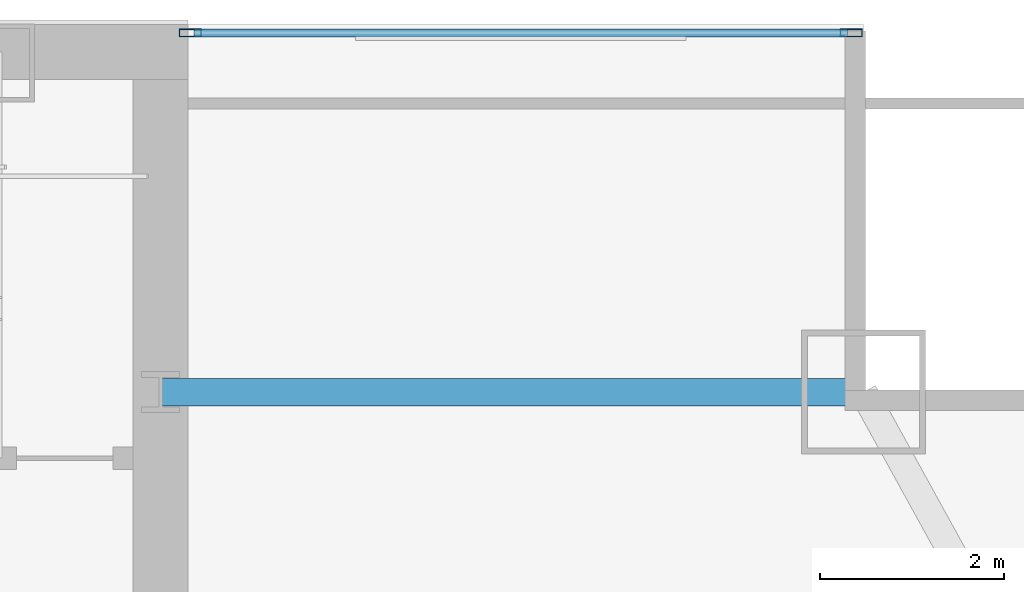
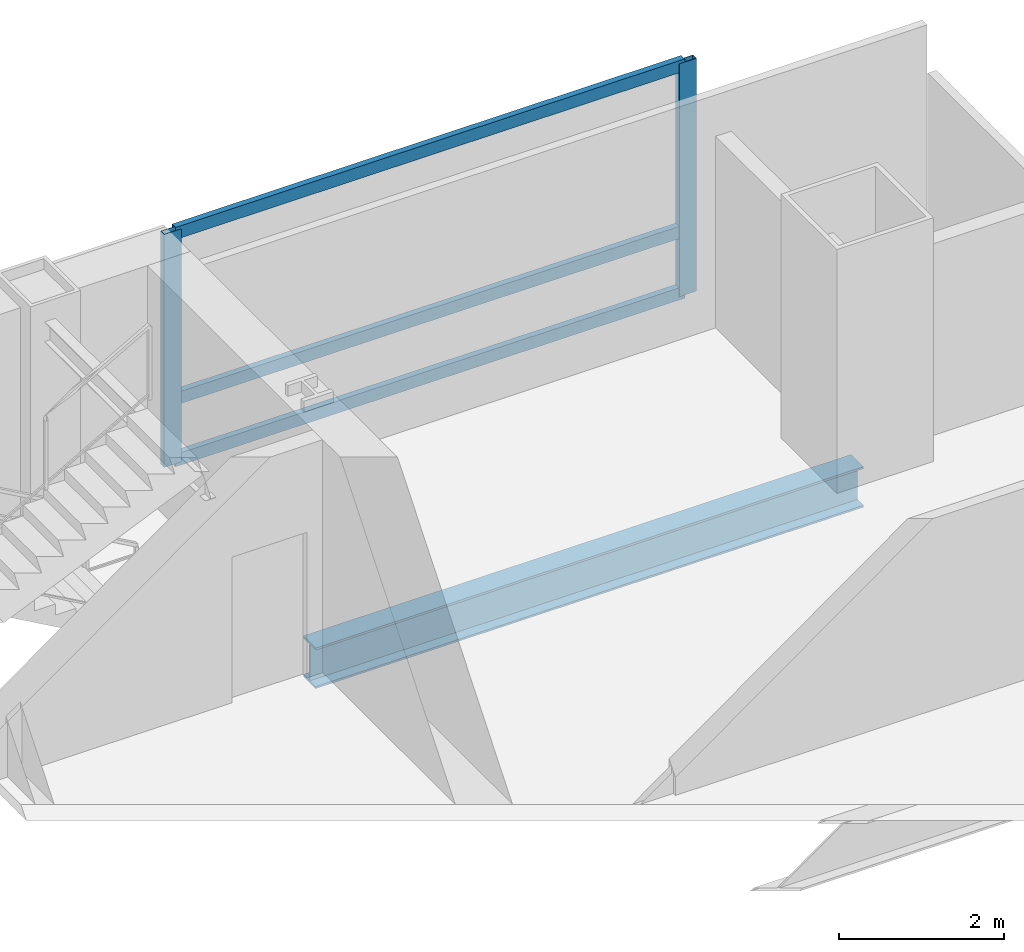
# One storey, part 20 of 29: 5 members, 1 beam, 1 element without a shape of its own.
"""IFC4 building model written with IfcOpenShell, lengths in metres."""

from ifc_helpers import new_model, si_unit, direction, frame, origin, origin_2d, place, context, subcontext, project, spatial, hollow_rectangle, i_section, extrude, material, material_profile, profile_set, type_object, element, aggregate, save


model = new_model("IFC4")

# Units and contexts
model_context = context("Model", 3, precision=1e-05, world=origin(), true_north=direction((0.0, 1.0)))
body_context = subcontext(model_context, "Body", "Model", "MODEL_VIEW")
ifc_project = project(units=[si_unit("LENGTHUNIT", "METRE"), si_unit("AREAUNIT", "SQUARE_METRE"), si_unit("VOLUMEUNIT", "CUBIC_METRE"), si_unit("PLANEANGLEUNIT", "RADIAN"), si_unit("MASSUNIT", "GRAM", prefix="KILO")], contexts=[model_context])

# Site, building, storey
site_placement = place(None, origin())
site = spatial("IfcSite", under=ifc_project, at=site_placement, CompositionType="ELEMENT")
building_placement = place(site_placement, origin())
building = spatial("IfcBuilding", under=site, at=building_placement, Name="Khoronbel Lancet Exchange", CompositionType="ELEMENT")
storey_placement = place(building_placement, frame((0.0, 0.0, 177.0)))
storey = spatial("IfcBuildingStorey", under=building, at=storey_placement, Name="L44", CompositionType="ELEMENT", Elevation=177.0)

# Beam
ifc_material_1 = material(Name="Steel S355", Category="steel")
ifc_material_profile_1 = material_profile(ifc_material_1, i_section(OverallWidth=0.300048828125, OverallDepth=0.60009765625, WebThickness=0.015380859375, FlangeThickness=0.030029296875, at=origin_2d()), Name="HEB 600")
ifc_profile_set_1 = profile_set([ifc_material_profile_1], Name="Steel S355")
beam_type = type_object("IfcBeamType", Name="BM-BSP2", PredefinedType="SPANDREL", material=ifc_profile_set_1)
beam_placement = place(storey_placement, frame((64.050048828125, 49.699951171875, -0.4599609375), z_axis=(-1.0, 0.0, 0.0), x_axis=(0.0, -1.0, 0.0)))
element("IfcBeam", 1, at=beam_placement, inside=storey, type_object=beam_type, Name="Level L44 north flank tie spandrel SP23", PredefinedType="SPANDREL", context=body_context, shape_type="SweptSolid", body=[
    extrude(i_section(OverallWidth=0.300048828125, OverallDepth=0.60009765625, WebThickness=0.015380859375, FlangeThickness=0.030029296875, at=origin_2d()), origin(), (0.0, 0.0, 1.0), 7.650146484375),
])

# Curtain wall, members
ifc_material_2 = material(Name="Low-E Solar Control Insulating Glass", Category="glass")
curtain_wall_type = type_object("IfcCurtainWallType", Name="CW-3", PredefinedType="NOTDEFINED", material=ifc_material_2)
curtain_wall_placement = place(storey_placement, origin())
curtain_wall = element("IfcCurtainWall", 2, at=curtain_wall_placement, inside=storey, type_object=curtain_wall_type, Name="Unitised curtain wall CW-L44-NEFLK", PredefinedType="NOTDEFINED")
ifc_material_3 = material(Name="Bronze-Anodised Aluminium 6063-T6", Category="aluminium")
ifc_material_profile_2 = material_profile(ifc_material_3, hollow_rectangle(XDim=0.0849609375, YDim=0.239990234375, WallThickness=0.006103515625, at=origin_2d()), Name="ALU MULLION 85x240")
ifc_profile_set_2 = profile_set([ifc_material_profile_2], Name="Bronze-Anodised Aluminium 6063-T6")
member_type_1 = type_object("IfcMemberType", Name="MEM-CWM1", PredefinedType="MULLION", material=ifc_profile_set_2)
member_1_placement = place(storey_placement, frame((63.91748046875, 53.610107421875, 0.0), z_axis=(0.0, 0.0, 1.0), x_axis=(0.0, -1.0, 0.0)))
member_1 = element("IfcMember", 3, at=member_1_placement, type_object=member_type_1, Name="CW3 mullion 1", PredefinedType="MULLION", context=body_context, shape_type="SweptSolid", body=[
    extrude(hollow_rectangle(XDim=0.0849609375, YDim=0.239990234375, WallThickness=0.006103515625, at=origin_2d()), origin(), (0.0, 0.0, 1.0), 3.43994140625),
])
member_2_placement = place(storey_placement, frame((56.722412109375, 53.610107421875, 0.0), z_axis=(0.0, 0.0, 1.0), x_axis=(0.0, -1.0, 0.0)))
member_2 = element("IfcMember", 4, at=member_2_placement, type_object=member_type_1, Name="CW3 mullion 2", PredefinedType="MULLION", context=body_context, shape_type="SweptSolid", body=[
    extrude(hollow_rectangle(XDim=0.0849609375, YDim=0.239990234375, WallThickness=0.006103515625, at=origin_2d()), origin(), (0.0, 0.0, 1.0), 3.43994140625),
])
ifc_material_profile_3 = material_profile(ifc_material_3, hollow_rectangle(XDim=0.0849609375, YDim=0.179931640625, WallThickness=0.0048828125, at=origin_2d()), Name="ALU TRANSOM 85x180")
ifc_profile_set_3 = profile_set([ifc_material_profile_3], Name="Bronze-Anodised Aluminium 6063-T6")
member_type_2 = type_object("IfcMemberType", Name="MEM-CWT1", PredefinedType="USERDEFINED", material=ifc_profile_set_3)
member_3_placement = place(storey_placement, frame((63.875, 53.610107421875, 0.04248046875), z_axis=(-1.0, 0.0, 0.0), x_axis=(0.0, -1.0, 0.0)))
member_3 = element("IfcMember", 5, at=member_3_placement, type_object=member_type_2, Name="CW3 transom 1.1", ObjectType="TRANSOM", PredefinedType="USERDEFINED", context=body_context, shape_type="SweptSolid", body=[
    extrude(hollow_rectangle(XDim=0.0849609375, YDim=0.179931640625, WallThickness=0.0048828125, at=origin_2d()), origin(), (0.0, 0.0, 1.0), 7.110107421875),
])
member_4_placement = place(storey_placement, frame((63.875, 53.610107421875, 0.949951171875), z_axis=(-1.0, 0.0, 0.0), x_axis=(0.0, -1.0, 0.0)))
member_4 = element("IfcMember", 6, at=member_4_placement, type_object=member_type_2, Name="CW3 transom 1.2", ObjectType="TRANSOM", PredefinedType="USERDEFINED", context=body_context, shape_type="SweptSolid", body=[
    extrude(hollow_rectangle(XDim=0.0849609375, YDim=0.179931640625, WallThickness=0.0048828125, at=origin_2d()), origin(), (0.0, 0.0, 1.0), 7.110107421875),
])
member_5_placement = place(storey_placement, frame((63.875, 53.610107421875, 3.3974609375), z_axis=(-1.0, 0.0, 0.0), x_axis=(0.0, -1.0, 0.0)))
member_5 = element("IfcMember", 7, at=member_5_placement, type_object=member_type_2, Name="CW3 transom 1.3", ObjectType="TRANSOM", PredefinedType="USERDEFINED", context=body_context, shape_type="SweptSolid", body=[
    extrude(hollow_rectangle(XDim=0.0849609375, YDim=0.179931640625, WallThickness=0.0048828125, at=origin_2d()), origin(), (0.0, 0.0, 1.0), 7.110107421875),
])
aggregate(curtain_wall, [member_1, member_2, member_3, member_4, member_5])

save(model, "model.ifc")
